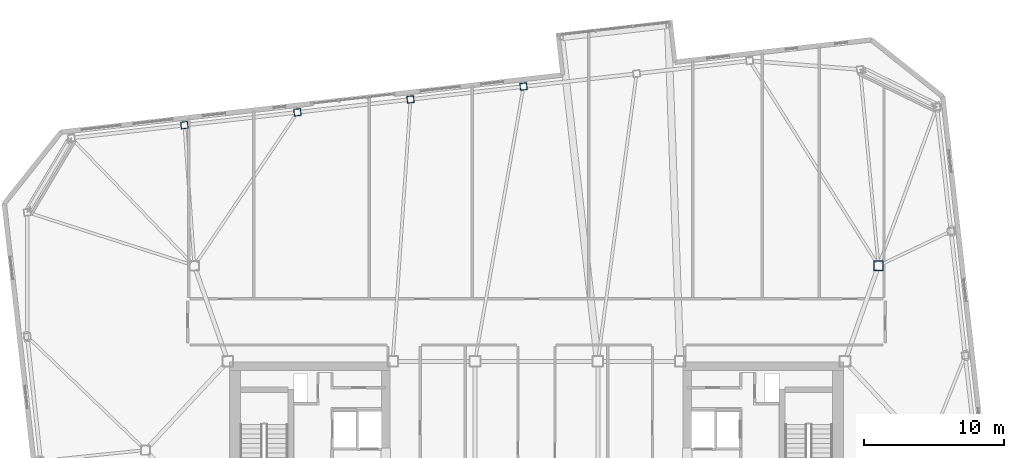
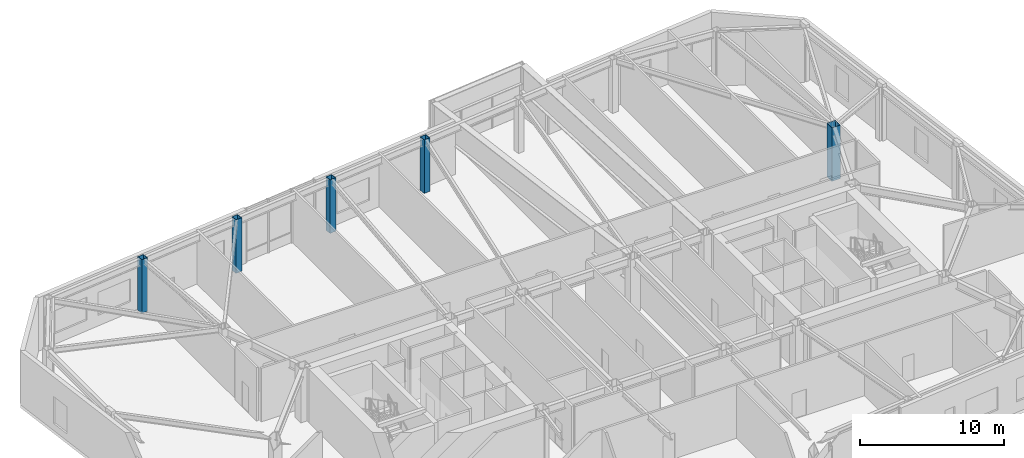
# One storey, part 2 of 21: 5 columns.
"""IFC4 building model written with IfcOpenShell, lengths in metres."""

from ifc_helpers import new_model, si_unit, direction, frame, origin, origin_2d, place, context, subcontext, project, spatial, hollow_rectangle, extrude, material, material_profile, profile_set, type_object, element, save


model = new_model("IFC4")

# Units and contexts
model_context = context("Model", 3, precision=1e-05, world=origin(), true_north=direction((0.0, 1.0)))
body_context = subcontext(model_context, "Body", "Model", "MODEL_VIEW")
ifc_project = project(units=[si_unit("LENGTHUNIT", "METRE"), si_unit("AREAUNIT", "SQUARE_METRE"), si_unit("VOLUMEUNIT", "CUBIC_METRE"), si_unit("PLANEANGLEUNIT", "RADIAN"), si_unit("MASSUNIT", "GRAM", prefix="KILO")], contexts=[model_context])

# Site, building, storey
site_placement = place(None, origin())
site = spatial("IfcSite", under=ifc_project, at=site_placement, CompositionType="ELEMENT")
building_placement = place(site_placement, origin())
building = spatial("IfcBuilding", under=site, at=building_placement, Name="Tavrogorsk Clinical Tower", CompositionType="ELEMENT")
storey_placement = place(building_placement, frame((0.0, 0.0, 238.199951171875)))
storey = spatial("IfcBuildingStorey", under=building, at=storey_placement, Name="L55", CompositionType="ELEMENT", Elevation=238.199951171875)

# Columns
ifc_material_1 = material(Name="Structural steel S440", Category="steel")
ifc_material_profile_1 = material_profile(ifc_material_1, hollow_rectangle(XDim=0.699951171875, YDim=0.699951171875, WallThickness=0.031982421875, at=origin_2d()), Name="BOX-700x700x32")
ifc_profile_set_1 = profile_set([ifc_material_profile_1], Name="Structural steel S440")
column_type_1 = type_object("IfcColumnType", Name="MegaCol_BOX700", PredefinedType="COLUMN", material=ifc_profile_set_1)
column_placement = place(storey_placement, frame((24.5, 13.199951171875, 0.0), z_axis=(0.0, 0.0, 1.0), x_axis=(1.0, 0.0, 0.0)))
element("IfcColumn", 1, at=column_placement, inside=storey, type_object=column_type_1, Name="L55 Spine Pilotis Column MC-P4", PredefinedType="COLUMN", context=body_context, shape_type="SweptSolid", body=[
    extrude(hollow_rectangle(XDim=0.699951171875, YDim=0.699951171875, WallThickness=0.031982421875, at=origin_2d()), origin(), (0.0, 0.0, 1.0), 4.5400390625),
])
ifc_material_2 = material(Name="Structural steel S440", Category="steel")
ifc_material_profile_2 = material_profile(ifc_material_2, hollow_rectangle(XDim=0.5, YDim=0.5, WallThickness=0.02490234375, at=origin_2d()), Name="BOX-500x500x25")
ifc_profile_set_2 = profile_set([ifc_material_profile_2], Name="Structural steel S440")
column_type_2 = type_object("IfcColumnType", Name="PerimCol_B4_BOX500", PredefinedType="COLUMN", material=ifc_profile_set_2)
for number, where, z_axis, x_axis, name in (
    (2, (-0.923828125, 26.03515625, 0.0), (0.0, 0.0, 1.0), (0.993571855677, 0.113203213768, 0.0), "L55 Perimeter Column N4"),
    (3, (-9.02001953125, 25.11279296875, 0.0), (0.0, 0.0, 1.0), (0.993571855677, 0.113203213768, 0.0), "L55 Perimeter Column N5"),
    (4, (-17.1162109375, 24.190185546875, 0.0), (0.0, 0.0, 1.0), (0.993571855677, 0.113203213768, 0.0), "L55 Perimeter Column N6"),
    (5, (-25.21240234375, 23.267822265625, 0.0), (0.0, 0.0, 1.0), (0.993571855677, 0.113203213768, 0.0), "L55 Perimeter Column N7"),
):
    element("IfcColumn", number, at=place(storey_placement, frame(where, z_axis=z_axis, x_axis=x_axis)), inside=storey, type_object=column_type_2, Name=name, PredefinedType="COLUMN", context=body_context, shape_type="SweptSolid", body=[
        extrude(hollow_rectangle(XDim=0.5, YDim=0.5, WallThickness=0.02490234375, at=origin_2d()), origin(), (0.0, 0.0, 1.0), 4.5400390625),
    ])

save(model, "model.ifc")
